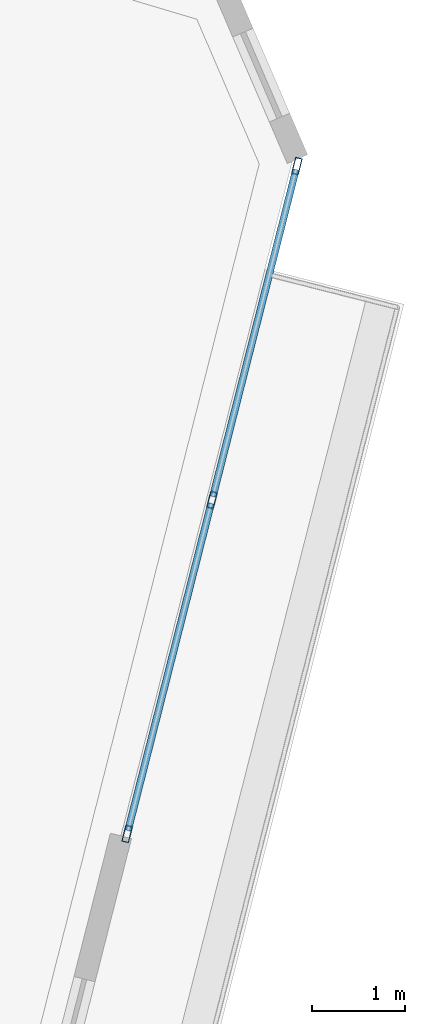
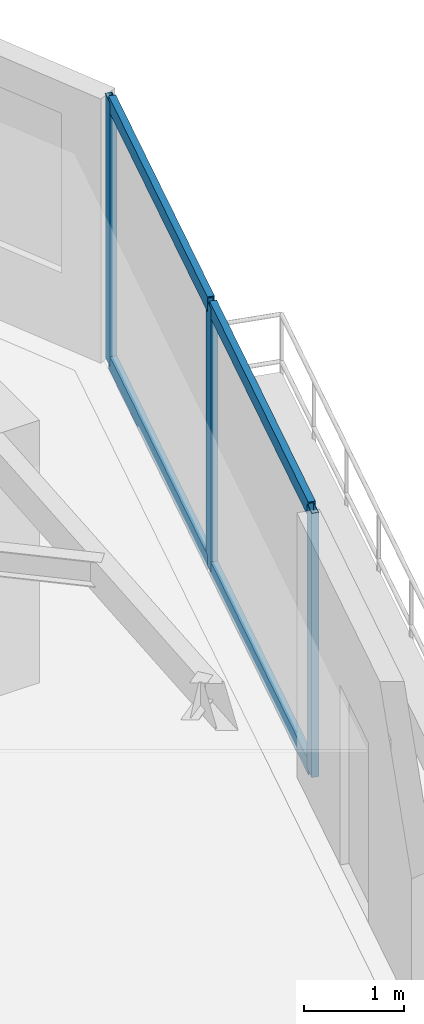
# One storey, part 11 of 21: 7 members, 1 element without a shape of its own.
"""IFC4 building model written with IfcOpenShell, lengths in metres."""

from ifc_helpers import new_model, si_unit, direction, frame, origin, origin_2d, place, context, subcontext, project, spatial, hollow_rectangle, extrude, source, transform, mapped, material, layer, layer_set, material_profile, profile_set, type_object, type_shapes, element, aggregate, save


model = new_model("IFC4")

# Units and contexts
model_context = context("Model", 3, precision=1e-05, world=origin(), true_north=direction((0.0, 1.0)))
body_context = subcontext(model_context, "Body", "Model", "MODEL_VIEW")
ifc_project = project(units=[si_unit("LENGTHUNIT", "METRE"), si_unit("AREAUNIT", "SQUARE_METRE"), si_unit("VOLUMEUNIT", "CUBIC_METRE"), si_unit("PLANEANGLEUNIT", "RADIAN"), si_unit("MASSUNIT", "GRAM", prefix="KILO")], contexts=[model_context])

# Site, building, storey
site_placement = place(None, origin())
site = spatial("IfcSite", under=ifc_project, at=site_placement, CompositionType="ELEMENT")
building_placement = place(site_placement, origin())
building = spatial("IfcBuilding", under=site, at=building_placement, Name="Talar Marvaseh", CompositionType="ELEMENT")
storey_placement = place(building_placement, frame((0.0, 0.0, 184.5)))
storey = spatial("IfcBuildingStorey", under=building, at=storey_placement, Name="L48", CompositionType="ELEMENT", Elevation=184.5)

# Curtain wall, members
ifc_material = material(Name="Architectural Aluminium", Category="aluminium")
ifc_layer = layer(ifc_material, 0.18994140625)
ifc_layer_set = layer_set([ifc_layer], Name="Architectural Aluminium")
curtain_wall_type = type_object("IfcCurtainWallType", Name="Unitised Solar Atelier Curtain Wall Z3", PredefinedType="NOTDEFINED", material=ifc_layer_set)
curtain_wall_placement = place(storey_placement, origin())
curtain_wall = element("IfcCurtainWall", 1, at=curtain_wall_placement, inside=storey, type_object=curtain_wall_type, Name="L48 Unitised Solar Atelier Curtain Wall Z3", PredefinedType="NOTDEFINED")
ifc_material_profile_1 = material_profile(ifc_material, hollow_rectangle(XDim=0.074951171875, YDim=0.179931640625, WallThickness=0.0048828125, at=origin_2d()), Name="RHS180x75x5")
ifc_profile_set_1 = profile_set([ifc_material_profile_1], Name="Architectural Aluminium")
member_type_1 = type_object("IfcMemberType", Name="Unitised Curtain Wall Standard Mullion RHS180x75x5", PredefinedType="MULLION", material=ifc_profile_set_1)
shared_shape_1 = source(origin(), body_context, "Body", "SweptSolid", [
    extrude(hollow_rectangle(XDim=0.074951171875, YDim=0.179931640625, WallThickness=0.0048828125, at=origin_2d()), origin(), (0.0, 0.0, 1.0), 3.22998046875),
])
type_shapes(member_type_1, [shared_shape_1])
member_1_placement = place(storey_placement, frame((43.051513671875, 38.90478515625, 0.0), z_axis=(0.0, 0.0, 1.0), x_axis=(0.969192093782, -0.246306080618, 0.0)))
member_1 = element("IfcMember", 2, at=member_1_placement, type_object=member_type_1, Name="CW-Z3 mullion 1", PredefinedType="MULLION", context=body_context, shape_type="MappedRepresentation", body=[
    mapped(shared_shape_1, transform((0.0, 0.0, 0.0), x_axis=(1.0, 0.0, 0.0), y_axis=(0.0, 1.0, 0.0), z_axis=(0.0, 0.0, 1.0), scale=1.0)),
])
member_2_placement = place(storey_placement, frame((42.134521484375, 35.2958984375, 0.0), z_axis=(0.0, 0.0, 1.0), x_axis=(0.969192093782, -0.246306080618, 0.0)))
member_2 = element("IfcMember", 3, at=member_2_placement, type_object=member_type_1, Name="CW-Z3 mullion 2", PredefinedType="MULLION", context=body_context, shape_type="MappedRepresentation", body=[
    mapped(shared_shape_1, transform((0.0, 0.0, 0.0), x_axis=(1.0, 0.0, 0.0), y_axis=(0.0, 1.0, 0.0), z_axis=(0.0, 0.0, 1.0), scale=1.0)),
])
member_3_placement = place(storey_placement, frame((41.21728515625, 31.686767578125, 0.0), z_axis=(0.0, 0.0, 1.0), x_axis=(0.969192093782, -0.246306080618, 0.0)))
member_3 = element("IfcMember", 4, at=member_3_placement, type_object=member_type_1, Name="CW-Z3 mullion 3", PredefinedType="MULLION", context=body_context, shape_type="MappedRepresentation", body=[
    mapped(shared_shape_1, transform((0.0, 0.0, 0.0), x_axis=(1.0, 0.0, 0.0), y_axis=(0.0, 1.0, 0.0), z_axis=(0.0, 0.0, 1.0), scale=1.0)),
])
ifc_material_profile_2 = material_profile(ifc_material, hollow_rectangle(XDim=0.074951171875, YDim=0.179931640625, WallThickness=0.0048828125, at=origin_2d()), Name="RHS180x75x5")
ifc_profile_set_2 = profile_set([ifc_material_profile_2], Name="Architectural Aluminium")
member_type_2 = type_object("IfcMemberType", Name="Unitised Curtain Wall Transom RHS180x75x5", PredefinedType="USERDEFINED", material=ifc_profile_set_2)
shared_shape_2 = source(origin(), body_context, "Body", "SweptSolid", [
    extrude(hollow_rectangle(XDim=0.074951171875, YDim=0.179931640625, WallThickness=0.0048828125, at=origin_2d()), origin(), (0.0, 0.0, 1.0), 3.648681640625),
])
type_shapes(member_type_2, [shared_shape_2])
member_4_placement = place(storey_placement, frame((43.042236328125, 38.868408203125, 0.03759765625), z_axis=(-0.246296516662, -0.969194524273, 0.0), x_axis=(0.969194524273, -0.246296516662, 0.0)))
member_4 = element("IfcMember", 5, at=member_4_placement, type_object=member_type_2, Name="CW-Z3 transom 1.1", ObjectType="TRANSOM", PredefinedType="USERDEFINED", context=body_context, shape_type="MappedRepresentation", body=[
    mapped(shared_shape_2, transform((0.0, 0.0, 0.0), x_axis=(1.0, 0.0, 0.0), y_axis=(0.0, 1.0, 0.0), z_axis=(0.0, 0.0, 1.0), scale=1.0)),
])
member_5_placement = place(storey_placement, frame((43.042236328125, 38.868408203125, 3.1923828125), z_axis=(-0.246296516662, -0.969194524273, 0.0), x_axis=(0.969194524273, -0.246296516662, 0.0)))
member_5 = element("IfcMember", 6, at=member_5_placement, type_object=member_type_2, Name="CW-Z3 transom 1.2", ObjectType="TRANSOM", PredefinedType="USERDEFINED", context=body_context, shape_type="MappedRepresentation", body=[
    mapped(shared_shape_2, transform((0.0, 0.0, 0.0), x_axis=(1.0, 0.0, 0.0), y_axis=(0.0, 1.0, 0.0), z_axis=(0.0, 0.0, 1.0), scale=1.0)),
])
member_6_placement = place(storey_placement, frame((42.125244140625, 35.259521484375, 0.03759765625), z_axis=(-0.246296516662, -0.969194524273, 0.0), x_axis=(0.969194524273, -0.246296516662, 0.0)))
member_6 = element("IfcMember", 7, at=member_6_placement, type_object=member_type_2, Name="CW-Z3 transom 2.1", ObjectType="TRANSOM", PredefinedType="USERDEFINED", context=body_context, shape_type="MappedRepresentation", body=[
    mapped(shared_shape_2, transform((0.0, 0.0, 0.0), x_axis=(1.0, 0.0, 0.0), y_axis=(0.0, 1.0, 0.0), z_axis=(0.0, 0.0, 1.0), scale=1.0)),
])
member_7_placement = place(storey_placement, frame((42.125244140625, 35.259521484375, 3.1923828125), z_axis=(-0.246296516662, -0.969194524273, 0.0), x_axis=(0.969194524273, -0.246296516662, 0.0)))
member_7 = element("IfcMember", 8, at=member_7_placement, type_object=member_type_2, Name="CW-Z3 transom 2.2", ObjectType="TRANSOM", PredefinedType="USERDEFINED", context=body_context, shape_type="MappedRepresentation", body=[
    mapped(shared_shape_2, transform((0.0, 0.0, 0.0), x_axis=(1.0, 0.0, 0.0), y_axis=(0.0, 1.0, 0.0), z_axis=(0.0, 0.0, 1.0), scale=1.0)),
])
aggregate(curtain_wall, [member_1, member_2, member_3, member_4, member_5, member_6, member_7])

save(model, "model.ifc")
